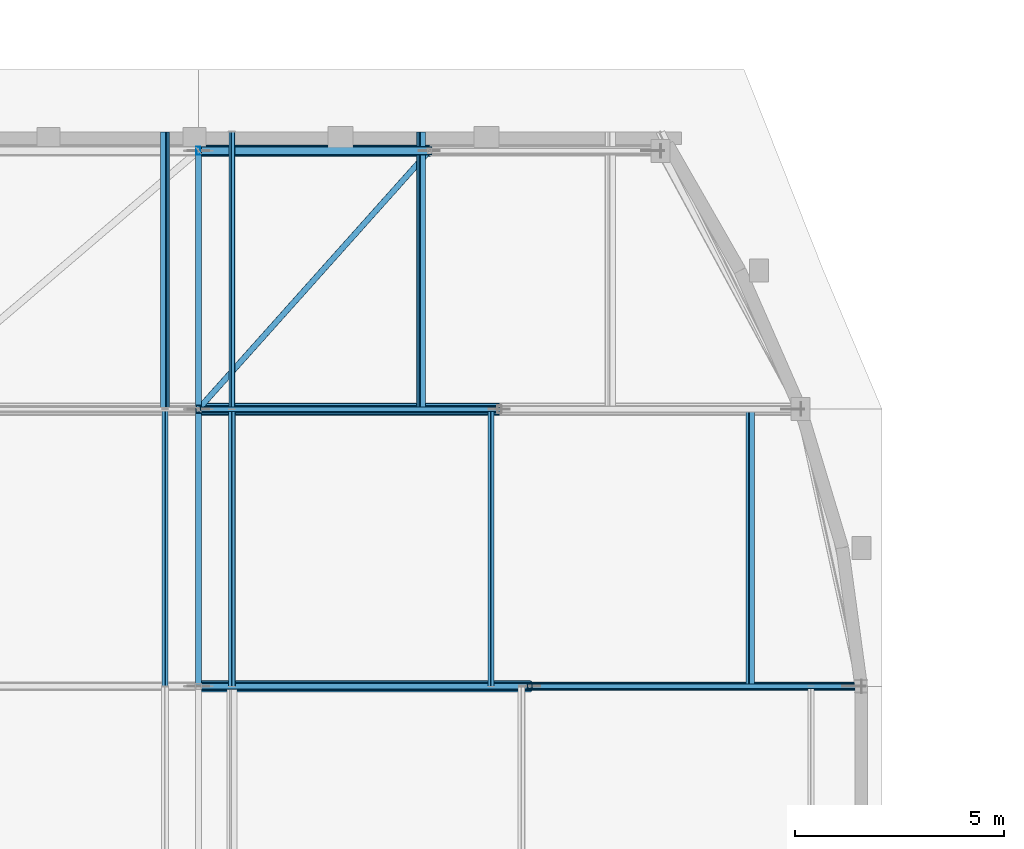
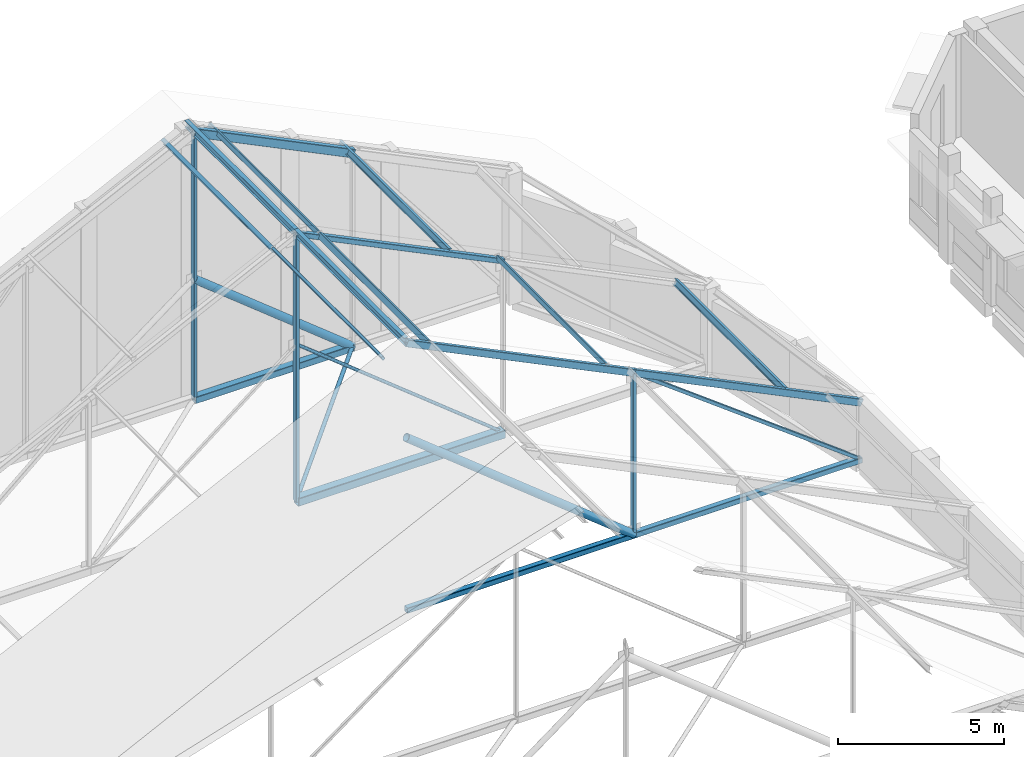
# One storey, part 22 of 78: 25 members.
"""IFC4 building model written with IfcOpenShell, lengths in metres."""

from ifc_helpers import new_model, si_unit, direction, frame, origin, origin_2d, place, context, subcontext, project, spatial, hollow_rectangle, hollow_circle, i_section, extrude, material, material_profile, profile_set, type_object, element, save


model = new_model("IFC4")

# Units and contexts
model_context = context("Model", 3, precision=1e-05, world=origin(), true_north=direction((0.0, 1.0)))
body_context = subcontext(model_context, "Body", "Model", "MODEL_VIEW")
ifc_project = project(units=[si_unit("LENGTHUNIT", "METRE"), si_unit("AREAUNIT", "SQUARE_METRE"), si_unit("VOLUMEUNIT", "CUBIC_METRE"), si_unit("PLANEANGLEUNIT", "RADIAN"), si_unit("MASSUNIT", "GRAM", prefix="KILO")], contexts=[model_context])

# Site, building, storey
site_placement = place(None, origin())
site = spatial("IfcSite", under=ifc_project, at=site_placement, CompositionType="ELEMENT")
building_placement = place(site_placement, origin())
building = spatial("IfcBuilding", under=site, at=building_placement, Name="Kelanivale Promenade Academy", CompositionType="ELEMENT")
storey_placement = place(building_placement, frame((0.0, 0.0, 16.199951171875)))
storey = spatial("IfcBuildingStorey", under=building, at=storey_placement, Name="L04", CompositionType="ELEMENT", Elevation=16.199951171875)

# Members
ifc_material = material(Name="Steel S355", Category="steel")
ifc_material_profile_1 = material_profile(ifc_material, i_section(OverallWidth=0.13330078125, OverallDepth=0.203125, WebThickness=0.005615234375, FlangeThickness=0.0078125, FilletRadius=0.007568359375, at=origin_2d()), Name="UB 203x133x25")
ifc_profile_set_1 = profile_set([ifc_material_profile_1], Name="Steel S355")
member_type_1 = type_object("IfcMemberType", Name="PR-01 UB 203x133x25", PredefinedType="PURLIN", material=ifc_profile_set_1)
member_1_placement = place(storey_placement, frame((32.800048828125, 66.14306640625, 3.656982421875), z_axis=(0.0, 1.0, 0.0), x_axis=(-0.898564392509, 0.0, 0.438841694139)))
element("IfcMember", 1, at=member_1_placement, inside=storey, type_object=member_type_1, Name="Sports Hall Crescent Pavilion roof purlin PR-01", PredefinedType="PURLIN", context=body_context, shape_type="SweptSolid", body=[
    extrude(i_section(OverallWidth=0.13330078125, OverallDepth=0.203125, WebThickness=0.005615234375, FlangeThickness=0.0078125, FilletRadius=0.007568359375, at=origin_2d()), origin(), (0.0, 0.0, 1.0), 6.6279296875),
])
for number, where, z_axis, x_axis, name in (
    (2, (18.800048828125, 72.77099609375, 9.713134765625), (0.0, 1.0, 0.0), (-0.898564392509, 0.0, -0.438841694139), "Sports Hall Crescent Pavilion roof purlin PR-01"),
    (3, (24.925048828125, 72.77099609375, 7.5029296875), (0.0, 1.0, 0.0), (-0.898564392509, 0.0, 0.438841694139), "Sports Hall Crescent Pavilion roof purlin PR-01"),
):
    element("IfcMember", number, at=place(storey_placement, frame(where, z_axis=z_axis, x_axis=x_axis)), inside=storey, type_object=member_type_1, Name=name, PredefinedType="PURLIN", context=body_context, shape_type="SweptSolid", body=[
        extrude(i_section(OverallWidth=0.13330078125, OverallDepth=0.203125, WebThickness=0.005615234375, FlangeThickness=0.0078125, FilletRadius=0.007568359375, at=origin_2d()), origin(), (0.0, 0.0, 1.0), 6.62890625),
    ])
ifc_material_profile_2 = material_profile(ifc_material, i_section(OverallWidth=0.14599609375, OverallDepth=0.25146484375, WebThickness=0.006103515625, FlangeThickness=0.008544921875, FilletRadius=0.007568359375, at=origin_2d()), Name="UB 254x146x31")
ifc_profile_set_2 = profile_set([ifc_material_profile_2], Name="Steel S355")
member_type_2 = type_object("IfcMemberType", Name="PR-02 UB 254x146x31", PredefinedType="PURLIN", material=ifc_profile_set_2)
member_2_placement = place(storey_placement, frame((19.60009765625, 66.14306640625, 10.087158203125), z_axis=(0.0, 1.0, 0.0), x_axis=(-1.0, 0.0, 0.0)))
element("IfcMember", 4, at=member_2_placement, inside=storey, type_object=member_type_2, Name="Sports Hall Crescent Pavilion roof tie purlin PR-02", PredefinedType="PURLIN", context=body_context, shape_type="SweptSolid", body=[
    extrude(i_section(OverallWidth=0.14599609375, OverallDepth=0.25146484375, WebThickness=0.006103515625, FlangeThickness=0.008544921875, FilletRadius=0.007568359375, at=origin_2d()), origin(), (0.0, 0.0, 1.0), 6.6279296875),
])
member_3_placement = place(storey_placement, frame((19.60009765625, 72.77099609375, 10.087158203125), z_axis=(0.0, 1.0, 0.0), x_axis=(-1.0, 0.0, 0.0)))
element("IfcMember", 5, at=member_3_placement, inside=storey, type_object=member_type_2, Name="Sports Hall Crescent Pavilion roof tie purlin PR-02", PredefinedType="PURLIN", context=body_context, shape_type="SweptSolid", body=[
    extrude(i_section(OverallWidth=0.14599609375, OverallDepth=0.25146484375, WebThickness=0.006103515625, FlangeThickness=0.008544921875, FilletRadius=0.007568359375, at=origin_2d()), origin(), (0.0, 0.0, 1.0), 6.62890625),
])
ifc_material_profile_3 = material_profile(ifc_material, hollow_rectangle(XDim=0.10009765625, YDim=0.199951171875, WallThickness=0.008056640625, InnerFilletRadius=0.008056640625, OuterFilletRadius=0.01611328125, at=origin_2d()), Name="RHS 200x100x8.0")
ifc_profile_set_3 = profile_set([ifc_material_profile_3], Name="Steel S355")
member_type_3 = type_object("IfcMemberType", Name="PR-03 RHS 200x100x8.0", PredefinedType="PURLIN", material=ifc_profile_set_3)
member_4_placement = place(storey_placement, frame((20.39990234375, 66.14306640625, 9.715087890625), z_axis=(0.0, 1.0, 0.0), x_axis=(-0.898564392509, 0.0, 0.438841694139)))
element("IfcMember", 6, at=member_4_placement, inside=storey, type_object=member_type_3, Name="Sports Hall Crescent Pavilion roof purlin PR-03", PredefinedType="PURLIN", context=body_context, shape_type="SweptSolid", body=[
    extrude(hollow_rectangle(XDim=0.10009765625, YDim=0.199951171875, WallThickness=0.008056640625, InnerFilletRadius=0.008056640625, OuterFilletRadius=0.01611328125, at=origin_2d()), origin(), (0.0, 0.0, 1.0), 6.6279296875),
])
ifc_material_profile_4 = material_profile(ifc_material, hollow_rectangle(XDim=0.10009765625, YDim=0.14990234375, WallThickness=0.008056640625, InnerFilletRadius=0.008056640625, OuterFilletRadius=0.01611328125, at=origin_2d()), Name="RHS 150x100x8.0")
ifc_profile_set_4 = profile_set([ifc_material_profile_4], Name="Steel S355")
member_type_4 = type_object("IfcMemberType", Name="PR-04 RHS 150x100x8.0", PredefinedType="PURLIN", material=ifc_profile_set_4)
for number, where, z_axis, x_axis, name in (
    (7, (18.800048828125, 66.14306640625, 9.7431640625), (0.0, 1.0, 0.0), (-0.898564392509, 0.0, -0.438841694139), "Sports Hall Crescent Pavilion roof purlin PR-04"),
    (8, (26.60009765625, 66.14306640625, 6.715087890625), (0.0, 1.0, 0.0), (-0.898564392509, 0.0, 0.438841694139), "Sports Hall Crescent Pavilion roof purlin PR-04"),
):
    element("IfcMember", number, at=place(storey_placement, frame(where, z_axis=z_axis, x_axis=x_axis)), inside=storey, type_object=member_type_4, Name=name, PredefinedType="PURLIN", context=body_context, shape_type="SweptSolid", body=[
        extrude(hollow_rectangle(XDim=0.10009765625, YDim=0.14990234375, WallThickness=0.008056640625, InnerFilletRadius=0.008056640625, OuterFilletRadius=0.01611328125, at=origin_2d()), origin(), (0.0, 0.0, 1.0), 6.6279296875),
    ])
member_5_placement = place(storey_placement, frame((20.39990234375, 72.77099609375, 9.7431640625), z_axis=(0.0, 1.0, 0.0), x_axis=(-0.898564392509, 0.0, 0.438841694139)))
element("IfcMember", 9, at=member_5_placement, inside=storey, type_object=member_type_4, Name="Sports Hall Crescent Pavilion roof purlin PR-04", PredefinedType="PURLIN", context=body_context, shape_type="SweptSolid", body=[
    extrude(hollow_rectangle(XDim=0.10009765625, YDim=0.14990234375, WallThickness=0.008056640625, InnerFilletRadius=0.008056640625, OuterFilletRadius=0.01611328125, at=origin_2d()), origin(), (0.0, 0.0, 1.0), 6.62890625),
])
ifc_material_profile_5 = material_profile(ifc_material, hollow_rectangle(XDim=0.300048828125, YDim=0.300048828125, WallThickness=0.01611328125, InnerFilletRadius=0.01611328125, OuterFilletRadius=0.031982421875, at=origin_2d()), Name="SHS 300x300x16.0")
ifc_profile_set_5 = profile_set([ifc_material_profile_5], Name="Steel S355")
member_type_5 = type_object("IfcMemberType", Name="TC-01 SHS 300x300x16.0", PredefinedType="CHORD", material=ifc_profile_set_5)
member_6_placement = place(storey_placement, frame((19.60009765625, 72.77099609375, 0.199951171875), z_axis=(1.0, 0.0, 0.0), x_axis=(0.0, 1.0, 0.0)))
element("IfcMember", 10, at=member_6_placement, inside=storey, type_object=member_type_5, Name="ROOF TRUSS SH-TR7 bottom chord 3", PredefinedType="CHORD", context=body_context, shape_type="SweptSolid", body=[
    extrude(hollow_rectangle(XDim=0.300048828125, YDim=0.300048828125, WallThickness=0.01611328125, InnerFilletRadius=0.01611328125, OuterFilletRadius=0.031982421875, at=origin_2d()), origin(), (0.0, 0.0, 1.0), 7.199951171875),
])
ifc_material_profile_6 = material_profile(ifc_material, hollow_rectangle(XDim=0.25, YDim=0.25, WallThickness=0.012451171875, InnerFilletRadius=0.012451171875, OuterFilletRadius=0.02490234375, at=origin_2d()), Name="SHS 250x250x12.5")
ifc_profile_set_6 = profile_set([ifc_material_profile_6], Name="Steel S355")
member_type_6 = type_object("IfcMemberType", Name="TC-02 SHS 250x250x12.5", PredefinedType="CHORD", material=ifc_profile_set_6)
member_7_placement = place(storey_placement, frame((19.60009765625, 78.949951171875, 0.199951171875), z_axis=(1.0, 0.0, 0.0), x_axis=(0.0, 1.0, 0.0)))
element("IfcMember", 11, at=member_7_placement, inside=storey, type_object=member_type_6, Name="ROOF TRUSS SH-TR8 bottom chord 3", PredefinedType="CHORD", context=body_context, shape_type="SweptSolid", body=[
    extrude(hollow_rectangle(XDim=0.25, YDim=0.25, WallThickness=0.012451171875, InnerFilletRadius=0.012451171875, OuterFilletRadius=0.02490234375, at=origin_2d()), origin(), (0.0, 0.0, 1.0), 5.52490234375),
])
ifc_material_profile_7 = material_profile(ifc_material, hollow_rectangle(XDim=0.199951171875, YDim=0.199951171875, WallThickness=0.012451171875, InnerFilletRadius=0.012451171875, OuterFilletRadius=0.02490234375, at=origin_2d()), Name="SHS 200x200x12.5")
ifc_profile_set_7 = profile_set([ifc_material_profile_7], Name="Steel S355")
member_type_7 = type_object("IfcMemberType", Name="TC-03 SHS 200x200x12.5", PredefinedType="CHORD", material=ifc_profile_set_7)
member_8_placement = place(storey_placement, frame((19.60009765625, 66.14306640625, 0.199951171875), z_axis=(1.0, 0.0, 0.0), x_axis=(0.0, 1.0, 0.0)))
element("IfcMember", 12, at=member_8_placement, inside=storey, type_object=member_type_7, Name="ROOF TRUSS SH-TR6 bottom chord 3", PredefinedType="CHORD", context=body_context, shape_type="SweptSolid", body=[
    extrude(hollow_rectangle(XDim=0.199951171875, YDim=0.199951171875, WallThickness=0.012451171875, InnerFilletRadius=0.012451171875, OuterFilletRadius=0.02490234375, at=origin_2d()), origin(), (0.0, 0.0, 1.0), 7.9248046875),
])
member_9_placement = place(storey_placement, frame((27.52490234375, 66.14306640625, 0.199951171875), z_axis=(1.0, 0.0, 0.0), x_axis=(0.0, 1.0, 0.0)))
element("IfcMember", 13, at=member_9_placement, inside=storey, type_object=member_type_7, Name="ROOF TRUSS SH-TR6 bottom chord 4", PredefinedType="CHORD", context=body_context, shape_type="SweptSolid", body=[
    extrude(hollow_rectangle(XDim=0.199951171875, YDim=0.199951171875, WallThickness=0.012451171875, InnerFilletRadius=0.012451171875, OuterFilletRadius=0.02490234375, at=origin_2d()), origin(), (0.0, 0.0, 1.0), 7.925048828125),
])
ifc_material_profile_8 = material_profile(ifc_material, hollow_rectangle(XDim=0.179931640625, YDim=0.179931640625, WallThickness=0.010009765625, InnerFilletRadius=0.010009765625, OuterFilletRadius=0.02001953125, at=origin_2d()), Name="SHS 180x180x10.0")
ifc_profile_set_8 = profile_set([ifc_material_profile_8], Name="Steel S355")
member_type_8 = type_object("IfcMemberType", Name="TC-04 SHS 180x180x10.0", PredefinedType="CHORD", material=ifc_profile_set_8)
member_10_placement = place(storey_placement, frame((19.60009765625, 72.77099609375, 10.0419921875), z_axis=(0.898586515561, 0.0, -0.438796392479), x_axis=(0.0, 1.0, 0.0)))
element("IfcMember", 14, at=member_10_placement, inside=storey, type_object=member_type_8, Name="ROOF TRUSS SH-TR7 top chord 3", PredefinedType="CHORD", context=body_context, shape_type="SweptSolid", body=[
    extrude(hollow_rectangle(XDim=0.179931640625, YDim=0.179931640625, WallThickness=0.010009765625, InnerFilletRadius=0.010009765625, OuterFilletRadius=0.02001953125, at=origin_2d()), origin(), (0.0, 0.0, 1.0), 8.012451171875),
])
ifc_material_profile_9 = material_profile(ifc_material, hollow_rectangle(XDim=0.199951171875, YDim=0.300048828125, WallThickness=0.012451171875, InnerFilletRadius=0.012451171875, OuterFilletRadius=0.02490234375, at=origin_2d()), Name="RHS 300x200x12.5")
ifc_profile_set_9 = profile_set([ifc_material_profile_9], Name="Steel S355")
member_type_9 = type_object("IfcMemberType", Name="TC-05 RHS 300x200x12.5", PredefinedType="CHORD", material=ifc_profile_set_9)
member_11_placement = place(storey_placement, frame((19.60009765625, 78.949951171875, 10.0419921875), z_axis=(0.898580988374, 0.0, -0.438807711114), x_axis=(0.0, 1.0, 0.0)))
element("IfcMember", 15, at=member_11_placement, inside=storey, type_object=member_type_9, Name="ROOF TRUSS SH-TR8 top chord 3", PredefinedType="CHORD", context=body_context, shape_type="SweptSolid", body=[
    extrude(hollow_rectangle(XDim=0.199951171875, YDim=0.300048828125, WallThickness=0.012451171875, InnerFilletRadius=0.012451171875, OuterFilletRadius=0.02490234375, at=origin_2d()), origin(), (0.0, 0.0, 1.0), 6.1484375),
])
ifc_material_profile_10 = material_profile(ifc_material, hollow_rectangle(XDim=0.14990234375, YDim=0.25, WallThickness=0.010009765625, InnerFilletRadius=0.010009765625, OuterFilletRadius=0.02001953125, at=origin_2d()), Name="RHS 250x150x10.0")
ifc_profile_set_10 = profile_set([ifc_material_profile_10], Name="Steel S355")
member_type_10 = type_object("IfcMemberType", Name="TC-06 RHS 250x150x10.0", PredefinedType="CHORD", material=ifc_profile_set_10)
member_12_placement = place(storey_placement, frame((19.60009765625, 66.14306640625, 10.0419921875), z_axis=(0.89858452393, 0.0, -0.438800471005), x_axis=(0.0, 1.0, 0.0)))
element("IfcMember", 16, at=member_12_placement, inside=storey, type_object=member_type_10, Name="ROOF TRUSS SH-TR6 top chord 3", PredefinedType="CHORD", context=body_context, shape_type="SweptSolid", body=[
    extrude(hollow_rectangle(XDim=0.14990234375, YDim=0.25, WallThickness=0.010009765625, InnerFilletRadius=0.010009765625, OuterFilletRadius=0.02001953125, at=origin_2d()), origin(), (0.0, 0.0, 1.0), 8.819091796875),
])
member_13_placement = place(storey_placement, frame((27.52490234375, 66.14306640625, 6.172119140625), z_axis=(0.898535276105, 0.0, -0.438901307351), x_axis=(0.0, 1.0, 0.0)))
element("IfcMember", 17, at=member_13_placement, inside=storey, type_object=member_type_10, Name="ROOF TRUSS SH-TR6 top chord 4", PredefinedType="CHORD", context=body_context, shape_type="SweptSolid", body=[
    extrude(hollow_rectangle(XDim=0.14990234375, YDim=0.25, WallThickness=0.010009765625, InnerFilletRadius=0.010009765625, OuterFilletRadius=0.02001953125, at=origin_2d()), origin(), (0.0, 0.0, 1.0), 8.820068359375),
])
ifc_material_profile_11 = material_profile(ifc_material, hollow_rectangle(XDim=0.1201171875, YDim=0.1201171875, WallThickness=0.008056640625, InnerFilletRadius=0.008056640625, OuterFilletRadius=0.01611328125, at=origin_2d()), Name="SHS 120x120x8.0")
ifc_profile_set_11 = profile_set([ifc_material_profile_11], Name="Steel S355")
member_type_11 = type_object("IfcMemberType", Name="TD-02 SHS 120x120x8.0", PredefinedType="BRACE", material=ifc_profile_set_11)
member_14_placement = place(storey_placement, frame((35.449951171875, 66.14306640625, 0.199951171875), z_axis=(-0.798625080722, 0.0, 0.601828863085), x_axis=(0.0, -1.0, 0.0)))
element("IfcMember", 18, at=member_14_placement, inside=storey, type_object=member_type_11, Name="ROOF TRUSS SH-TR6 web diagonal 4", PredefinedType="BRACE", context=body_context, shape_type="SweptSolid", body=[
    extrude(hollow_rectangle(XDim=0.1201171875, YDim=0.1201171875, WallThickness=0.008056640625, InnerFilletRadius=0.008056640625, OuterFilletRadius=0.01611328125, at=origin_2d()), origin(), (0.0, 0.0, 1.0), 9.92333984375),
])
ifc_material_profile_12 = material_profile(ifc_material, hollow_circle(Radius=0.06982421875, WallThickness=0.008056640625, at=origin_2d()), Name="CHS 139.7x8.0")
ifc_profile_set_12 = profile_set([ifc_material_profile_12], Name="Steel S355")
member_type_12 = type_object("IfcMemberType", Name="TD-05 CHS 139.7x8.0", PredefinedType="BRACE", material=ifc_profile_set_12)
member_15_placement = place(storey_placement, frame((19.60009765625, 72.77099609375, 0.199951171875), z_axis=(0.666551168667, 0.745459280946, 0.0), x_axis=(-0.745459280946, 0.666551168667, 0.0)))
element("IfcMember", 19, at=member_15_placement, inside=storey, type_object=member_type_12, Name="Sports Hall Crescent Pavilion roof wind brace TD-05", PredefinedType="BRACE", context=body_context, shape_type="SweptSolid", body=[
    extrude(hollow_circle(Radius=0.06982421875, WallThickness=0.008056640625, at=origin_2d()), origin(), (0.0, 0.0, 1.0), 8.288818359375),
])
ifc_material_profile_13 = material_profile(ifc_material, hollow_circle(Radius=0.05712890625, WallThickness=0.00634765625, at=origin_2d()), Name="CHS 114.3x6.3")
ifc_profile_set_13 = profile_set([ifc_material_profile_13], Name="Steel S355")
member_type_13 = type_object("IfcMemberType", Name="TD-06 CHS 114.3x6.3", PredefinedType="BRACE", material=ifc_profile_set_13)
member_16_placement = place(storey_placement, frame((26.800048828125, 72.77099609375, 0.199951171875), z_axis=(-0.780866226205, 0.0, 0.624698276588), x_axis=(0.0, -1.0, 0.0)))
element("IfcMember", 20, at=member_16_placement, inside=storey, type_object=member_type_13, Name="ROOF TRUSS SH-TR7 web diagonal 3", PredefinedType="BRACE", context=body_context, shape_type="SweptSolid", body=[
    extrude(hollow_circle(Radius=0.05712890625, WallThickness=0.00634765625, at=origin_2d()), origin(), (0.0, 0.0, 1.0), 9.220458984375),
])
ifc_material_profile_14 = material_profile(ifc_material, hollow_circle(Radius=0.136474609375, WallThickness=0.012451171875, at=origin_2d()), Name="CHS 273.0x12.5")
ifc_profile_set_14 = profile_set([ifc_material_profile_14], Name="Steel S355")
member_type_14 = type_object("IfcMemberType", Name="TD-08 CHS 273.0x12.5", PredefinedType="BRACE", material=ifc_profile_set_14)
member_17_placement = place(storey_placement, frame((27.52490234375, 66.14306640625, 0.199951171875), z_axis=(-0.780857074681, 0.0, 0.624709715724), x_axis=(0.0, -1.0, 0.0)))
element("IfcMember", 21, at=member_17_placement, inside=storey, type_object=member_type_14, Name="ROOF TRUSS SH-TR6 web diagonal 3", PredefinedType="BRACE", context=body_context, shape_type="SweptSolid", body=[
    extrude(hollow_circle(Radius=0.136474609375, WallThickness=0.012451171875, at=origin_2d()), origin(), (0.0, 0.0, 1.0), 10.14892578125),
])
member_18_placement = place(storey_placement, frame((25.125, 78.949951171875, 0.199951171875), z_axis=(-0.78085197737, 0.0, 0.624716087065), x_axis=(0.0, -1.0, 0.0)))
element("IfcMember", 22, at=member_18_placement, inside=storey, type_object=member_type_14, Name="ROOF TRUSS SH-TR8 web diagonal 3", PredefinedType="BRACE", context=body_context, shape_type="SweptSolid", body=[
    extrude(hollow_circle(Radius=0.136474609375, WallThickness=0.012451171875, at=origin_2d()), origin(), (0.0, 0.0, 1.0), 7.075439453125),
])
ifc_material_profile_15 = material_profile(ifc_material, hollow_rectangle(XDim=0.1201171875, YDim=0.199951171875, WallThickness=0.010009765625, InnerFilletRadius=0.010009765625, OuterFilletRadius=0.02001953125, at=origin_2d()), Name="RHS 200x120x10.0")
ifc_profile_set_15 = profile_set([ifc_material_profile_15], Name="Steel S355")
member_type_15 = type_object("IfcMemberType", Name="TV-01 RHS 200x120x10.0", PredefinedType="STRUT", material=ifc_profile_set_15)
member_19_placement = place(storey_placement, frame((27.52490234375, 66.14306640625, 0.199951171875), z_axis=(0.0, 0.0, 1.0), x_axis=(1.0, 0.0, 0.0)))
element("IfcMember", 23, at=member_19_placement, inside=storey, type_object=member_type_15, Name="ROOF TRUSS SH-TR6 vertical strut 3", PredefinedType="STRUT", context=body_context, shape_type="SweptSolid", body=[
    extrude(hollow_rectangle(XDim=0.1201171875, YDim=0.199951171875, WallThickness=0.010009765625, InnerFilletRadius=0.010009765625, OuterFilletRadius=0.02001953125, at=origin_2d()), origin(), (0.0, 0.0, 1.0), 5.97216796875),
])
member_20_placement = place(storey_placement, frame((19.60009765625, 72.77099609375, 0.199951171875), z_axis=(0.0, 0.0, 1.0), x_axis=(1.0, 0.0, 0.0)))
element("IfcMember", 24, at=member_20_placement, inside=storey, type_object=member_type_15, Name="ROOF TRUSS SH-TR7 vertical strut 2", PredefinedType="STRUT", context=body_context, shape_type="SweptSolid", body=[
    extrude(hollow_rectangle(XDim=0.1201171875, YDim=0.199951171875, WallThickness=0.010009765625, InnerFilletRadius=0.010009765625, OuterFilletRadius=0.02001953125, at=origin_2d()), origin(), (0.0, 0.0, 1.0), 9.842041015625),
])
ifc_material_profile_16 = material_profile(ifc_material, hollow_rectangle(XDim=0.10009765625, YDim=0.199951171875, WallThickness=0.008056640625, InnerFilletRadius=0.008056640625, OuterFilletRadius=0.01611328125, at=origin_2d()), Name="RHS 200x100x8.0")
ifc_profile_set_16 = profile_set([ifc_material_profile_16], Name="Steel S355")
member_type_16 = type_object("IfcMemberType", Name="TV-02 RHS 200x100x8.0", PredefinedType="STRUT", material=ifc_profile_set_16)
member_21_placement = place(storey_placement, frame((19.60009765625, 78.949951171875, 0.199951171875), z_axis=(0.0, 0.0, 1.0), x_axis=(1.0, 0.0, 0.0)))
element("IfcMember", 25, at=member_21_placement, inside=storey, type_object=member_type_16, Name="ROOF TRUSS SH-TR8 vertical strut 2", PredefinedType="STRUT", context=body_context, shape_type="SweptSolid", body=[
    extrude(hollow_rectangle(XDim=0.10009765625, YDim=0.199951171875, WallThickness=0.008056640625, InnerFilletRadius=0.008056640625, OuterFilletRadius=0.01611328125, at=origin_2d()), origin(), (0.0, 0.0, 1.0), 9.842041015625),
])

save(model, "model.ifc")
